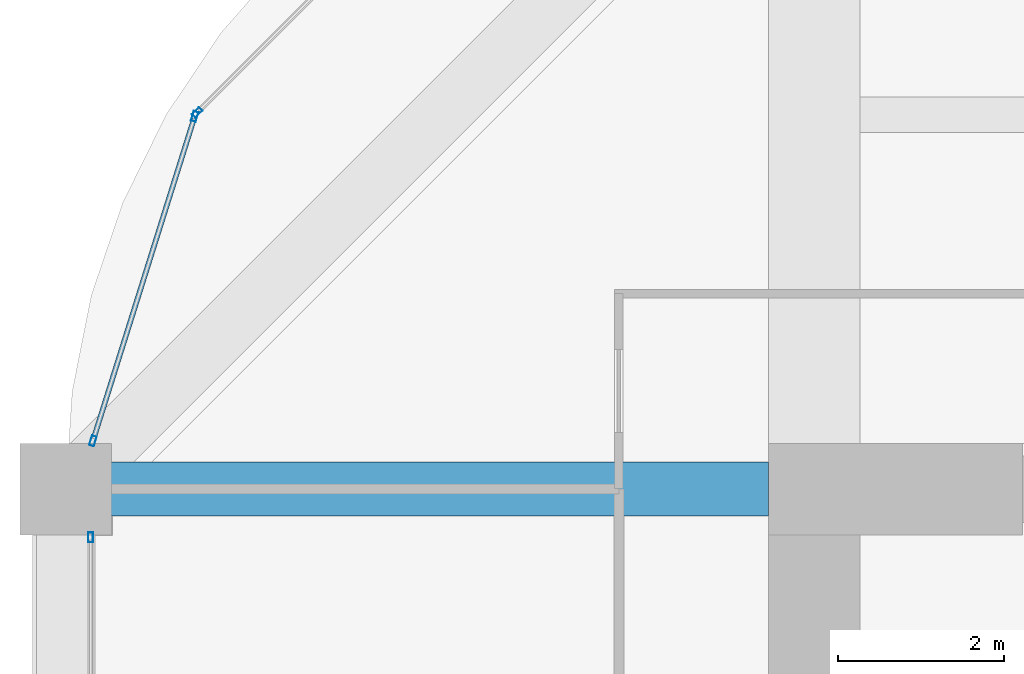
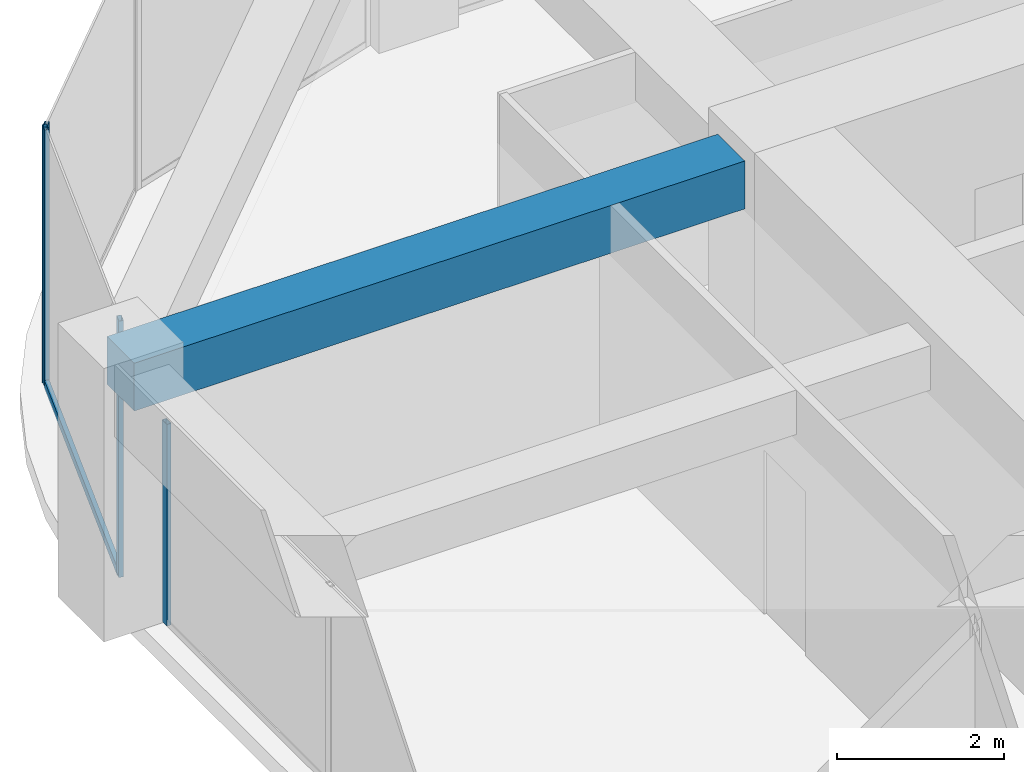
# One storey, part 28 of 44: 5 members, 1 beam, 3 elements without a shape of their own.
"""IFC4 building model written with IfcOpenShell, lengths in metres."""

from ifc_helpers import new_model, si_unit, direction, frame, origin, origin_2d, place, context, subcontext, project, spatial, rectangle, hollow_rectangle, extrude, material, material_profile, profile_set, type_object, element, aggregate, save


model = new_model("IFC4")

# Units and contexts
model_context = context("Model", 3, precision=1e-05, world=origin(), true_north=direction((0.0, 1.0)))
body_context = subcontext(model_context, "Body", "Model", "MODEL_VIEW")
ifc_project = project(units=[si_unit("LENGTHUNIT", "METRE"), si_unit("AREAUNIT", "SQUARE_METRE"), si_unit("VOLUMEUNIT", "CUBIC_METRE"), si_unit("PLANEANGLEUNIT", "RADIAN"), si_unit("MASSUNIT", "GRAM", prefix="KILO")], contexts=[model_context])

# Site, building, storey
site_placement = place(None, origin())
site = spatial("IfcSite", under=ifc_project, at=site_placement, CompositionType="ELEMENT")
building_placement = place(site_placement, origin())
building = spatial("IfcBuilding", under=site, at=building_placement, Name="Zorevar Civic Tower", CompositionType="ELEMENT")
storey_placement = place(building_placement, frame((0.0, 0.0, 295.39990234375)))
storey = spatial("IfcBuildingStorey", under=building, at=storey_placement, Name="L72", CompositionType="ELEMENT", Elevation=295.39990234375)

# Beam
ifc_material_1 = material(Name="Concrete C50/60", Category="concrete")
ifc_material_profile_1 = material_profile(ifc_material_1, rectangle(XDim=0.64990234375, YDim=0.699951171875, at=origin_2d()), Name="RC 650x700")
ifc_profile_set_1 = profile_set([ifc_material_profile_1], Name="Concrete C50/60")
beam_type = type_object("IfcBeamType", Name="Beam RC 650x700", PredefinedType="BEAM", material=ifc_profile_set_1)
beam_placement = place(storey_placement, frame((9.0, 36.0, 3.400146484375), z_axis=(1.0, 0.0, 0.0), x_axis=(0.0, 1.0, 0.0)))
element("IfcBeam", 1, at=beam_placement, inside=storey, type_object=beam_type, Name="Girder L73", PredefinedType="BEAM", context=body_context, shape_type="SweptSolid", body=[
    extrude(rectangle(XDim=0.64990234375, YDim=0.699951171875, at=origin_2d()), origin(), (0.0, 0.0, 1.0), 8.449951171875),
])

# Curtain wall, member
ifc_material_2 = material(Name="Dark grey solar-control glass in black aluminium frame", Category="aluminium")
curtain_wall_type = type_object("IfcCurtainWallType", Name="Curtain wall CW5 top zone", PredefinedType="NOTDEFINED", material=ifc_material_2)
curtain_wall_1_placement = place(storey_placement, origin())
curtain_wall_1 = element("IfcCurtainWall", 2, at=curtain_wall_1_placement, inside=storey, type_object=curtain_wall_type, Name="CW5 L72", PredefinedType="NOTDEFINED")
ifc_material_3 = material(Name="Aluminium, black anodised", Category="aluminium")
ifc_material_profile_2 = material_profile(ifc_material_3, hollow_rectangle(XDim=0.06005859375, YDim=0.1201171875, WallThickness=0.0029296875, at=origin_2d()), Name="AL 120x60x3")
ifc_profile_set_2 = profile_set([ifc_material_profile_2], Name="Aluminium, black anodised")
member_type_1 = type_object("IfcMemberType", Name="CW5 mullion AL 120x60x3", PredefinedType="MULLION", material=ifc_profile_set_2)
member_1_placement = place(storey_placement, frame((9.300048828125, 35.419921875, 0.0), z_axis=(0.0, 0.0, 1.0), x_axis=(-1.0, 0.0, 0.0)))
member_1 = element("IfcMember", 3, at=member_1_placement, type_object=member_type_1, Name="CW5 mullion 3", PredefinedType="MULLION", context=body_context, shape_type="SweptSolid", body=[
    extrude(hollow_rectangle(XDim=0.06005859375, YDim=0.1201171875, WallThickness=0.0029296875, at=origin_2d()), origin(), (0.0, 0.0, 1.0), 2.9501953125),
])
aggregate(curtain_wall_1, [member_1])

curtain_wall_2_placement = place(storey_placement, origin())
curtain_wall_2 = element("IfcCurtainWall", 4, at=curtain_wall_2_placement, inside=storey, type_object=curtain_wall_type, Name="CW5 L72", PredefinedType="NOTDEFINED")
member_2_placement = place(storey_placement, frame((10.580322265625, 40.529052734375, 0.0), z_axis=(0.0, 0.0, 1.0), x_axis=(0.707106781187, -0.707106781187, 0.0)))
member_2 = element("IfcMember", 5, at=member_2_placement, type_object=member_type_1, Name="CW5 mullion 2", PredefinedType="MULLION", context=body_context, shape_type="SweptSolid", body=[
    extrude(hollow_rectangle(XDim=0.06005859375, YDim=0.1201171875, WallThickness=0.0029296875, at=origin_2d()), origin(), (0.0, 0.0, 1.0), 3.75),
])
aggregate(curtain_wall_2, [member_2])

# Curtain wall, members
curtain_wall_3_placement = place(storey_placement, origin())
curtain_wall_3 = element("IfcCurtainWall", 6, at=curtain_wall_3_placement, inside=storey, type_object=curtain_wall_type, Name="CW5 L72", PredefinedType="NOTDEFINED")
member_3_placement = place(storey_placement, frame((10.550048828125, 40.479248046875, 0.0), z_axis=(0.0, 0.0, 1.0), x_axis=(0.954153437674, -0.299317920238, 0.0)))
member_3 = element("IfcMember", 7, at=member_3_placement, type_object=member_type_1, Name="CW5 mullion 1", PredefinedType="MULLION", context=body_context, shape_type="SweptSolid", body=[
    extrude(hollow_rectangle(XDim=0.06005859375, YDim=0.1201171875, WallThickness=0.0029296875, at=origin_2d()), origin(), (0.0, 0.0, 1.0), 3.75),
])
member_4_placement = place(storey_placement, frame((9.326416015625, 36.57861328125, 0.0), z_axis=(0.0, 0.0, 1.0), x_axis=(0.954153437674, -0.299317920238, 0.0)))
member_4 = element("IfcMember", 8, at=member_4_placement, type_object=member_type_1, Name="CW5 mullion 2", PredefinedType="MULLION", context=body_context, shape_type="SweptSolid", body=[
    extrude(hollow_rectangle(XDim=0.06005859375, YDim=0.1201171875, WallThickness=0.0029296875, at=origin_2d()), origin(), (0.0, 0.0, 1.0), 3.75),
])
ifc_material_4 = material(Name="Aluminium, black anodised", Category="aluminium")
ifc_material_profile_3 = material_profile(ifc_material_4, hollow_rectangle(XDim=0.06005859375, YDim=0.1201171875, WallThickness=0.0029296875, at=origin_2d()), Name="AL 120x60x3")
ifc_profile_set_3 = profile_set([ifc_material_profile_3], Name="Aluminium, black anodised")
member_type_2 = type_object("IfcMemberType", Name="CW5 transom AL 120x60x3", PredefinedType="USERDEFINED", material=ifc_profile_set_3)
member_5_placement = place(storey_placement, frame((10.541015625, 40.45068359375, 0.030029296875), z_axis=(-0.299285978047, -0.954163457351, 0.0), x_axis=(0.954163457351, -0.299285978047, 0.0)))
member_5 = element("IfcMember", 9, at=member_5_placement, type_object=member_type_2, Name="CW5 sill transom", ObjectType="TRANSOM", PredefinedType="USERDEFINED", context=body_context, shape_type="SweptSolid", body=[
    extrude(hollow_rectangle(XDim=0.06005859375, YDim=0.1201171875, WallThickness=0.0029296875, at=origin_2d()), origin(), (0.0, 0.0, 1.0), 4.028076171875),
])
aggregate(curtain_wall_3, [member_3, member_4, member_5])

save(model, "model.ifc")
